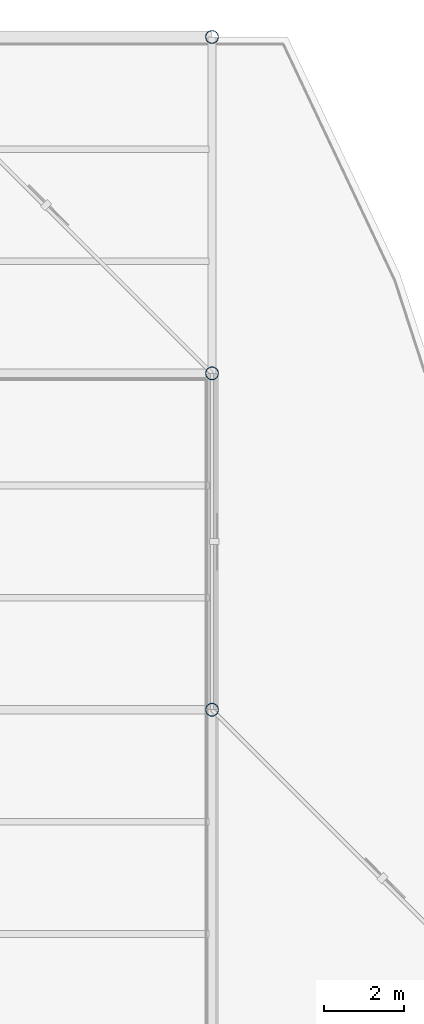
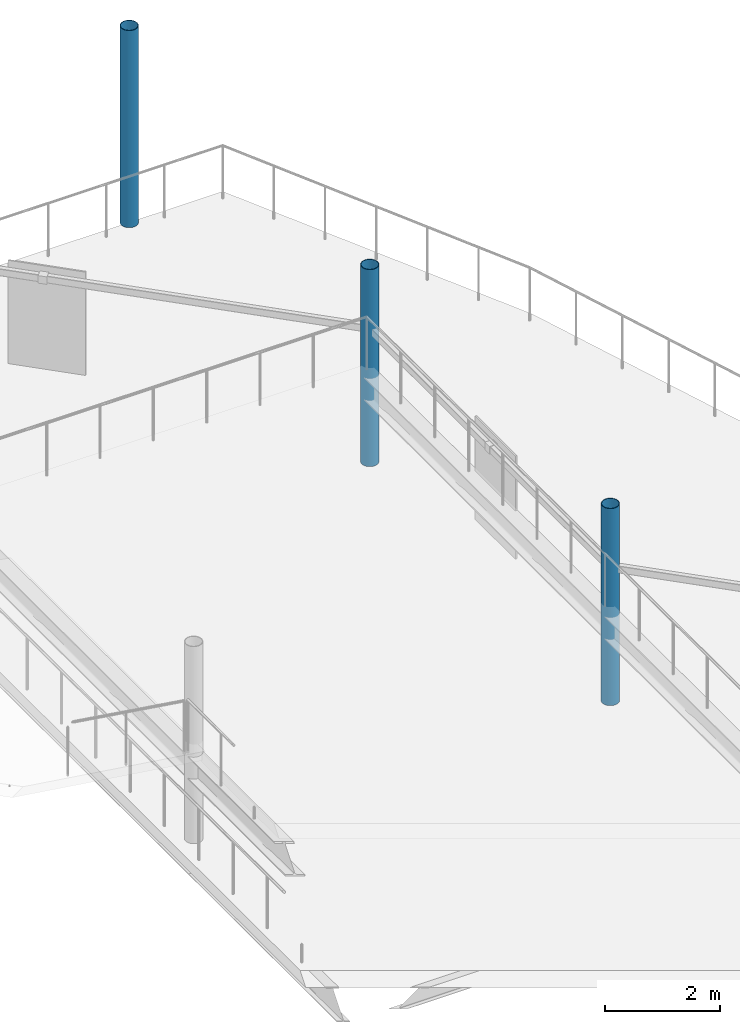
# One storey, part 14 of 69: 3 columns.
"""IFC4 building model written with IfcOpenShell, lengths in metres."""

from ifc_helpers import new_model, si_unit, direction, frame, origin, origin_2d, place, context, subcontext, project, spatial, hollow_circle, extrude, material, material_profile, profile_set, type_object, element, save


model = new_model("IFC4")

# Units and contexts
model_context = context("Model", 3, precision=1e-05, world=origin(), true_north=direction((0.0, 1.0)))
body_context = subcontext(model_context, "Body", "Model", "MODEL_VIEW")
ifc_project = project(units=[si_unit("LENGTHUNIT", "METRE"), si_unit("AREAUNIT", "SQUARE_METRE"), si_unit("VOLUMEUNIT", "CUBIC_METRE"), si_unit("PLANEANGLEUNIT", "RADIAN"), si_unit("MASSUNIT", "GRAM", prefix="KILO")], contexts=[model_context])

# Site, building, storey
site_placement = place(None, origin())
site = spatial("IfcSite", under=ifc_project, at=site_placement, CompositionType="ELEMENT")
building_placement = place(site_placement, origin())
building = spatial("IfcBuilding", under=site, at=building_placement, Name="Qalvenar Corner Mobility Hub", CompositionType="ELEMENT")
storey_placement = place(building_placement, frame((0.0, 0.0, 13.199951171875)))
storey = spatial("IfcBuildingStorey", under=building, at=storey_placement, Name="L03", CompositionType="ELEMENT", Elevation=13.199951171875)

# Columns
ifc_material = material(Name="Steel S355", Category="steel")
ifc_material_profile = material_profile(ifc_material, hollow_circle(Radius=0.161865234375, WallThickness=0.010009765625, at=origin_2d()), Name="CHS323.9x10")
ifc_profile_set = profile_set([ifc_material_profile], Name="Steel S355")
column_type = type_object("IfcColumnType", Name="COL-CHS323", PredefinedType="COLUMN", material=ifc_profile_set)
for number, where, z_axis, x_axis, name in (
    (1, (168.0, 100.800048828125, 0.0), (0.0, 0.0, 1.0), (1.0, 0.0, 0.0), "Steel Column L03-G21-12"),
    (2, (168.0, 109.199951171875, 0.0), (0.0, 0.0, 1.0), (1.0, 0.0, 0.0), "Steel Column L03-G21-13"),
    (3, (168.0, 117.60009765625, 0.0), (0.0, 0.0, 1.0), (1.0, 0.0, 0.0), "Steel Column L03-G21-14"),
):
    element("IfcColumn", number, at=place(storey_placement, frame(where, z_axis=z_axis, x_axis=x_axis)), inside=storey, type_object=column_type, Name=name, PredefinedType="COLUMN", context=body_context, shape_type="SweptSolid", body=[
        extrude(hollow_circle(Radius=0.161865234375, WallThickness=0.010009765625, at=origin_2d()), origin(), (0.0, 0.0, 1.0), 4.199951171875),
    ])

save(model, "model.ifc")
